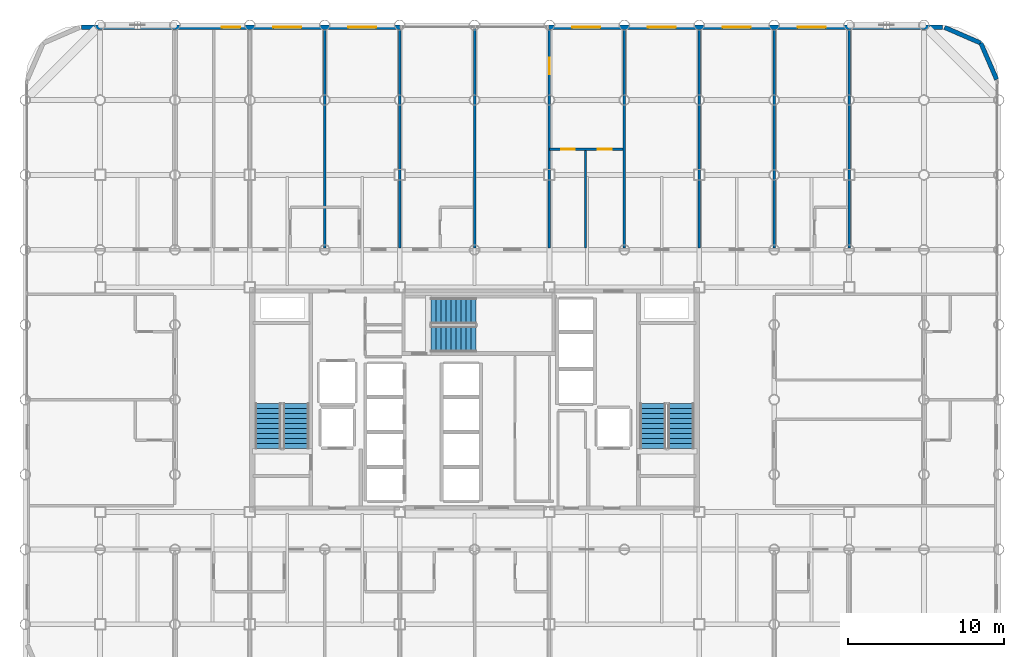
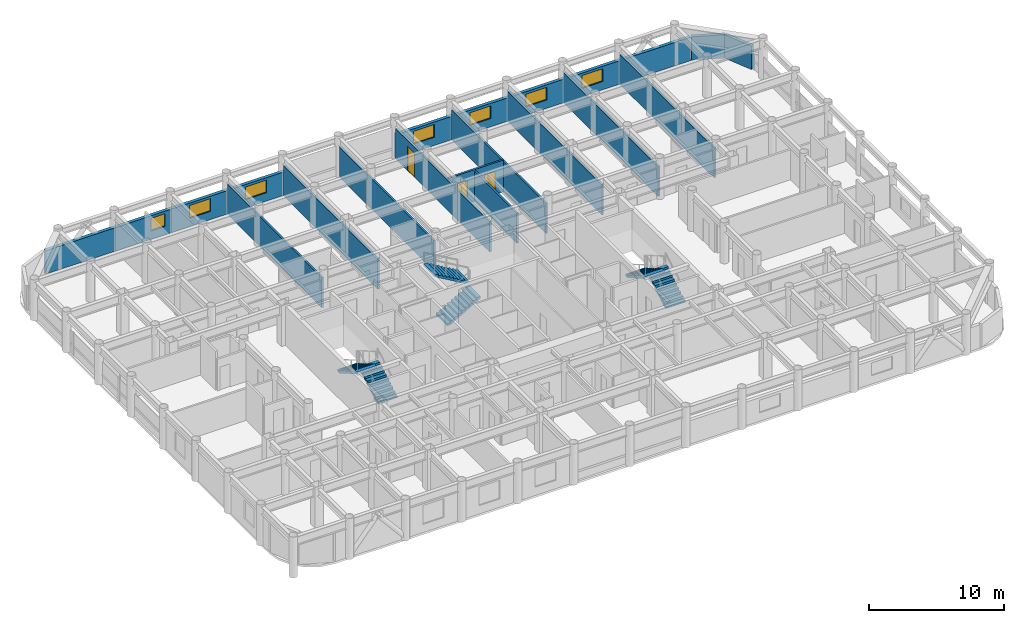
# One storey, part 21 of 22: 14 walls, 7 windows, 6 stair flights, 3 doors, 10 openings, 3 elements without a shape of their own.
"""IFC4 building model written with IfcOpenShell, lengths in metres."""

from ifc_helpers import new_model, si_unit, direction, frame, frame_2d, origin, place, context, subcontext, project, spatial, polyline, rectangle, outline, extrude, material, layer, layer_set, type_object, element, fill, aggregate, save


model = new_model("IFC4")

# Units and contexts
model_context = context("Model", 3, precision=1e-05, world=origin(), true_north=direction((0.0, 1.0)))
body_context = subcontext(model_context, "Body", "Model", "MODEL_VIEW")
ifc_project = project(units=[si_unit("LENGTHUNIT", "METRE"), si_unit("AREAUNIT", "SQUARE_METRE"), si_unit("VOLUMEUNIT", "CUBIC_METRE"), si_unit("PLANEANGLEUNIT", "RADIAN"), si_unit("MASSUNIT", "GRAM", prefix="KILO")], contexts=[model_context])

# Site, building, storey
site_placement = place(None, origin())
site = spatial("IfcSite", under=ifc_project, at=site_placement, CompositionType="ELEMENT")
building_placement = place(site_placement, origin())
building = spatial("IfcBuilding", under=site, at=building_placement, Name="Kallvorn Hotel Tower", CompositionType="ELEMENT")
storey_placement = place(building_placement, frame((0.0, 0.0, 113.699951171875)))
storey = spatial("IfcBuildingStorey", under=building, at=storey_placement, Name="L27", CompositionType="ELEMENT", Elevation=113.699951171875)

# Wall, openings, doors
ifc_material_1 = material(Name="Fire-rated double-layer acoustic gypsum drywall EI 60")
ifc_layer_1 = layer(ifc_material_1, 0.159912109375)
ifc_layer_set_1 = layer_set([ifc_layer_1], Name="WL_DEMISE_160")
wall_type_1 = type_object("IfcWallType", Name="WL_DEMISE_160", PredefinedType="PARTITIONING", material=ifc_layer_set_1)
wall_1_placement = place(storey_placement, frame((4.800048828125, 16.050048828125, 0.0), z_axis=(0.0, 0.0, 1.0), x_axis=(1.0, 0.0, 0.0)))
wall_1 = element("IfcWall", 1, at=wall_1_placement, inside=storey, type_object=wall_type_1, Name="L27 Suite 2714 Junior Bedroom Partition", PredefinedType="PARTITIONING", context=body_context, shape_type="SweptSolid", body=[
    extrude(rectangle(XDim=4.719970703125, YDim=0.159912109375, at=frame_2d((2.35986328125, 0.0))), origin(), (0.0, 0.0, 1.0), 2.8701171875),
])
opening_1_placement = place(wall_1_placement, frame((0.75, 0.0, 0.0)))
opening_1 = element("IfcOpeningElement", 2, at=opening_1_placement, cuts=wall_1, Name="Opening BD-I", PredefinedType="OPENING", context=body_context, shape_type="SweptSolid", body=[
    extrude(rectangle(XDim=0.860107421875, YDim=2.10009765625, at=frame_2d((0.43017578125, 1.050048828125))), frame((0.0, 0.094970703125, 0.0), z_axis=(0.0, -1.0, 0.0), x_axis=(1.0, 0.0, 0.0)), (0.0, 0.0, 1.0), 0.18994140625),
])
opening_2_placement = place(wall_1_placement, frame((3.090087890625, 0.0, 0.0)))
opening_2 = element("IfcOpeningElement", 3, at=opening_2_placement, cuts=wall_1, Name="Opening SVD1", PredefinedType="OPENING", context=body_context, shape_type="SweptSolid", body=[
    extrude(rectangle(XDim=0.89990234375, YDim=2.10009765625, at=frame_2d((0.449951171875, 1.050048828125))), frame((0.0, 0.094970703125, 0.0), z_axis=(0.0, -1.0, 0.0), x_axis=(1.0, 0.0, 0.0)), (0.0, 0.0, 1.0), 0.18994140625),
])
ifc_material_2 = material(Name="Solid-core walnut veneer fire-rated timber door leaf", Category="wood")
door_type_1 = type_object("IfcDoorType", Name="DR_BATH_860x2100", OperationType="NOTDEFINED", PredefinedType="DOOR", material=ifc_material_2)
door_1_placement = place(opening_1_placement, origin())
door_1 = element("IfcDoor", 4, at=door_1_placement, inside=storey, type_object=door_type_1, Name="L27 Suite 2714 En-Suite Bathroom Door", OperationType="SINGLE_SWING_LEFT", OverallHeight=2.10009765625, OverallWidth=0.860107421875, PredefinedType="DOOR", context=body_context, shape_type="SweptSolid", body=[
    extrude(rectangle(XDim=0.860107421875, YDim=2.10009765625, at=frame_2d((0.43017578125, 1.050048828125))), frame((0.0, 0.02490234375, 0.0), z_axis=(0.0, -1.0, 0.0), x_axis=(1.0, 0.0, 0.0)), (0.0, 0.0, 1.0), 0.050048828125),
])
fill(opening_1, door_1)
ifc_material_3 = material(Name="Galvanised painted steel fire-rated door assembly", Category="steel")
door_type_2 = type_object("IfcDoorType", Name="DR_SERV_900x2100", OperationType="NOTDEFINED", PredefinedType="DOOR", material=ifc_material_3)
door_2_placement = place(opening_2_placement, origin())
door_2 = element("IfcDoor", 5, at=door_2_placement, inside=storey, type_object=door_type_2, Name="L27 Suite 2714 Walk-In Dressing Closet Door", OperationType="SINGLE_SWING_LEFT", OverallHeight=2.10009765625, OverallWidth=0.89990234375, PredefinedType="DOOR", context=body_context, shape_type="SweptSolid", body=[
    extrude(rectangle(XDim=0.89990234375, YDim=2.10009765625, at=frame_2d((0.449951171875, 1.050048828125))), frame((0.0, 0.02490234375, 0.0), z_axis=(0.0, -1.0, 0.0), x_axis=(1.0, 0.0, 0.0)), (0.0, 0.0, 1.0), 0.050048828125),
])
fill(opening_2, door_2)

# Walls
for number, where, z_axis, x_axis, name in (
    (6, (-9.60009765625, 9.719970703125, 0.0), (0.0, 0.0, 1.0), (0.0, 1.0, 0.0), "L27 Suite 2711 Standard Twin Room Partition"),
    (7, (-4.800048828125, 9.719970703125, 0.0), (0.0, 0.0, 1.0), (0.0, 1.0, 0.0), "L27 Suite 2712 Standard Twin Room Partition"),
):
    element("IfcWall", number, at=place(storey_placement, frame(where, z_axis=z_axis, x_axis=x_axis)), inside=storey, type_object=wall_type_1, Name=name, PredefinedType="PARTITIONING", context=body_context, shape_type="SweptSolid", body=[
        extrude(rectangle(XDim=13.989990234375, YDim=0.159912109375, at=frame_2d((6.9951171875, 0.0))), origin(), (0.0, 0.0, 1.0), 2.719970703125),
    ])
wall_2_placement = place(storey_placement, frame((0.0, 9.719970703125, 0.0), z_axis=(0.0, 0.0, 1.0), x_axis=(0.0, 1.0, 0.0)))
element("IfcWall", 8, at=wall_2_placement, inside=storey, type_object=wall_type_1, Name="L27 Suite 2714 Junior Living Salon Partition", PredefinedType="PARTITIONING", context=body_context, shape_type="SweptSolid", body=[
    extrude(rectangle(XDim=14.074951171875, YDim=0.159912109375, at=frame_2d((7.03759765625, 0.0))), origin(), (0.0, 0.0, 1.0), 2.719970703125),
])

# Wall, opening, door
wall_3_placement = place(storey_placement, frame((4.800048828125, 9.719970703125, 0.0), z_axis=(0.0, 0.0, 1.0), x_axis=(0.0, 1.0, 0.0)))
wall_3 = element("IfcWall", 9, at=wall_3_placement, inside=storey, type_object=wall_type_1, Name="L27 Suite 2714 Junior Living Salon Partition", PredefinedType="PARTITIONING", context=body_context, shape_type="SweptSolid", body=[
    extrude(rectangle(XDim=13.989990234375, YDim=0.159912109375, at=frame_2d((6.9951171875, 0.0))), origin(), (0.0, 0.0, 1.0), 2.719970703125),
])
opening_3_placement = place(wall_3_placement, frame((11.136962890625, 0.0, 0.0)))
opening_3 = element("IfcOpeningElement", 10, at=opening_3_placement, cuts=wall_3, Name="Opening GD2", PredefinedType="OPENING", context=body_context, shape_type="SweptSolid", body=[
    extrude(rectangle(XDim=1.050048828125, YDim=2.199951171875, at=frame_2d((0.52490234375, 1.10009765625))), frame((0.0, 0.094970703125, 0.0), z_axis=(0.0, -1.0, 0.0), x_axis=(1.0, 0.0, 0.0)), (0.0, 0.0, 1.0), 0.18994140625),
])
ifc_material_4 = material(Name="Solid-core walnut veneer fire-rated timber door leaf", Category="wood")
door_type_3 = type_object("IfcDoorType", Name="DR_SUITE_1050x2200", OperationType="NOTDEFINED", PredefinedType="DOOR", material=ifc_material_4)
door_3_placement = place(opening_3_placement, origin())
door_3 = element("IfcDoor", 11, at=door_3_placement, inside=storey, type_object=door_type_3, Name="L27 Suite 2714 Junior Bedroom Door", OperationType="SINGLE_SWING_LEFT", OverallHeight=2.199951171875, OverallWidth=1.050048828125, PredefinedType="DOOR", context=body_context, shape_type="SweptSolid", body=[
    extrude(rectangle(XDim=1.050048828125, YDim=2.199951171875, at=frame_2d((0.52490234375, 1.10009765625))), frame((0.0, 0.02490234375, 0.0), z_axis=(0.0, -1.0, 0.0), x_axis=(1.0, 0.0, 0.0)), (0.0, 0.0, 1.0), 0.050048828125),
])
fill(opening_3, door_3)

# Walls
for number, where, z_axis, x_axis, name in (
    (12, (9.60009765625, 9.719970703125, 0.0), (0.0, 0.0, 1.0), (0.0, 1.0, 0.0), "L27 Suite 2714 Junior Bedroom Partition"),
    (13, (19.199951171875, 9.719970703125, 0.0), (0.0, 0.0, 1.0), (0.0, 1.0, 0.0), "L27 Suite 2715 Standard Twin Room Partition"),
    (14, (24.0, 9.719970703125, 0.0), (0.0, 0.0, 1.0), (0.0, 1.0, 0.0), "L27 Suite 2715 Standard Twin Room Partition"),
):
    element("IfcWall", number, at=place(storey_placement, frame(where, z_axis=z_axis, x_axis=x_axis)), inside=storey, type_object=wall_type_1, Name=name, PredefinedType="PARTITIONING", context=body_context, shape_type="SweptSolid", body=[
        extrude(rectangle(XDim=13.989990234375, YDim=0.159912109375, at=frame_2d((6.9951171875, 0.0))), origin(), (0.0, 0.0, 1.0), 2.719970703125),
    ])
ifc_material_5 = material(Name="Precast basalt-clad insulated concrete wall C40/50", Category="masonry")
ifc_layer_2 = layer(ifc_material_5, 0.280029296875)
ifc_layer_set_2 = layer_set([ifc_layer_2], Name="WL_EXT_LOGGIA_280")
wall_type_2 = type_object("IfcWallType", Name="WL_EXT_LOGGIA_280", PredefinedType="SOLIDWALL", material=ifc_layer_set_2)
wall_4_placement = place(storey_placement, frame((33.4580078125, 20.520751953125, 0.0), z_axis=(0.0, 0.0, 1.0), x_axis=(-0.398792985289, 0.917040977756, 0.0)))
element("IfcWall", 15, at=wall_4_placement, inside=storey, type_object=wall_type_2, Name="L27 Rounded Corner Exterior Wall NE1", PredefinedType="SOLIDWALL", context=body_context, shape_type="SweptSolid", body=[
    extrude(rectangle(XDim=2.536376953125, YDim=0.280029296875, at=frame_2d((1.26806640625, 0.0))), origin(), (0.0, 0.0, 1.0), 2.1201171875),
])
wall_5_placement = place(storey_placement, frame((32.446533203125, 22.8466796875, 0.0), z_axis=(0.0, 0.0, 1.0), x_axis=(-0.917060872934, 0.398747232384, 0.0)))
element("IfcWall", 16, at=wall_5_placement, inside=storey, type_object=wall_type_2, Name="L27 Rounded Corner Exterior Wall NE2", PredefinedType="SOLIDWALL", context=body_context, shape_type="SweptSolid", body=[
    extrude(rectangle(XDim=2.5361328125, YDim=0.280029296875, at=frame_2d((1.26806640625, 0.0))), origin(), (0.0, 0.0, 1.0), 2.1201171875),
])

# Wall, openings, windows
wall_6_placement = place(storey_placement, frame((-25.199951171875, 23.860107421875, 0.0), z_axis=(0.0, 0.0, 1.0), x_axis=(1.0, 0.0, 0.0)))
wall_6 = element("IfcWall", 17, at=wall_6_placement, inside=storey, type_object=wall_type_2, Name="L27 Exterior Envelope Wall EW-L27-NW", PredefinedType="SOLIDWALL", context=body_context, shape_type="SweptSolid", body=[
    extrude(rectangle(XDim=20.449951171875, YDim=0.280029296875, at=frame_2d((10.22509765625, 0.0))), origin(), (0.0, 0.0, 1.0), 2.1201171875),
])
opening_4_placement = place(wall_6_placement, frame((9.0, 0.0, 0.75)))
opening_4 = element("IfcOpeningElement", 18, at=opening_4_placement, cuts=wall_6, Name="Opening W06A", PredefinedType="OPENING", context=body_context, shape_type="SweptSolid", body=[
    extrude(rectangle(XDim=1.199951171875, YDim=1.14990234375, at=frame_2d((0.60009765625, 0.574951171875))), frame((0.0, 0.155029296875, 0.0), z_axis=(0.0, -1.0, 0.0), x_axis=(1.0, 0.0, 0.0)), (0.0, 0.0, 1.0), 0.31005859375),
])
opening_5_placement = place(wall_6_placement, frame((12.300048828125, 0.0, 0.75)))
opening_5 = element("IfcOpeningElement", 19, at=opening_5_placement, cuts=wall_6, Name="Opening W04A", PredefinedType="OPENING", context=body_context, shape_type="SweptSolid", body=[
    extrude(rectangle(XDim=1.800048828125, YDim=1.14990234375, at=frame_2d((0.89990234375, 0.574951171875))), frame((0.0, 0.155029296875, 0.0), z_axis=(0.0, -1.0, 0.0), x_axis=(1.0, 0.0, 0.0)), (0.0, 0.0, 1.0), 0.31005859375),
])
opening_6_placement = place(wall_6_placement, frame((17.10009765625, 0.0, 0.75)))
opening_6 = element("IfcOpeningElement", 20, at=opening_6_placement, cuts=wall_6, Name="Opening W04A", PredefinedType="OPENING", context=body_context, shape_type="SweptSolid", body=[
    extrude(rectangle(XDim=1.800048828125, YDim=1.14990234375, at=frame_2d((0.89990234375, 0.574951171875))), frame((0.0, 0.155029296875, 0.0), z_axis=(0.0, -1.0, 0.0), x_axis=(1.0, 0.0, 0.0)), (0.0, 0.0, 1.0), 0.31005859375),
])
ifc_material_6 = material(Name="Triple-glazed low-e acoustic solar-control dark glass", Category="glass")
window_type_1 = type_object("IfcWindowType", Name="WN_HTL_1200x1150", PartitioningType="SINGLE_PANEL", PredefinedType="WINDOW", material=ifc_material_6)
window_1_placement = place(opening_4_placement, origin())
window_1 = element("IfcWindow", 21, at=window_1_placement, inside=storey, type_object=window_type_1, Name="L27 Guestroom Exterior Window 10", OverallHeight=1.14990234375, OverallWidth=1.199951171875, PartitioningType="SINGLE_PANEL", PredefinedType="WINDOW", context=body_context, shape_type="SweptSolid", body=[
    extrude(rectangle(XDim=1.199951171875, YDim=1.14990234375, at=frame_2d((0.60009765625, 0.574951171875))), frame((0.0, 0.030029296875, 0.0), z_axis=(0.0, -1.0, 0.0), x_axis=(1.0, 0.0, 0.0)), (0.0, 0.0, 1.0), 0.06005859375),
])
fill(opening_4, window_1)
ifc_material_7 = material(Name="Double-glazed low-e solar-control dark glass", Category="glass")
window_type_2 = type_object("IfcWindowType", Name="WN_HTL_1800x1150", PartitioningType="SINGLE_PANEL", PredefinedType="WINDOW", material=ifc_material_7)
window_2_placement = place(opening_5_placement, origin())
window_2 = element("IfcWindow", 22, at=window_2_placement, inside=storey, type_object=window_type_2, Name="L27 Guestroom Exterior Window 11", OverallHeight=1.14990234375, OverallWidth=1.800048828125, PartitioningType="SINGLE_PANEL", PredefinedType="WINDOW", context=body_context, shape_type="SweptSolid", body=[
    extrude(rectangle(XDim=1.800048828125, YDim=1.14990234375, at=frame_2d((0.89990234375, 0.574951171875))), frame((0.0, 0.030029296875, 0.0), z_axis=(0.0, -1.0, 0.0), x_axis=(1.0, 0.0, 0.0)), (0.0, 0.0, 1.0), 0.06005859375),
])
fill(opening_5, window_2)
window_3_placement = place(opening_6_placement, origin())
window_3 = element("IfcWindow", 23, at=window_3_placement, inside=storey, type_object=window_type_2, Name="L27 Guestroom Exterior Window 12", OverallHeight=1.14990234375, OverallWidth=1.800048828125, PartitioningType="SINGLE_PANEL", PredefinedType="WINDOW", context=body_context, shape_type="SweptSolid", body=[
    extrude(rectangle(XDim=1.800048828125, YDim=1.14990234375, at=frame_2d((0.89990234375, 0.574951171875))), frame((0.0, 0.030029296875, 0.0), z_axis=(0.0, -1.0, 0.0), x_axis=(1.0, 0.0, 0.0)), (0.0, 0.0, 1.0), 0.06005859375),
])
fill(opening_6, window_3)

wall_7_placement = place(storey_placement, frame((4.75, 23.860107421875, 0.0), z_axis=(0.0, 0.0, 1.0), x_axis=(1.0, 0.0, 0.0)))
wall_7 = element("IfcWall", 24, at=wall_7_placement, inside=storey, type_object=wall_type_2, Name="L27 Exterior Envelope Wall EW-L27-NE", PredefinedType="SOLIDWALL", context=body_context, shape_type="SweptSolid", body=[
    extrude(rectangle(XDim=25.25, YDim=0.280029296875, at=frame_2d((12.625, 0.0))), origin(), (0.0, 0.0, 1.0), 2.1201171875),
])
opening_7_placement = place(wall_7_placement, frame((1.510009765625, 0.0, 0.75)))
opening_7 = element("IfcOpeningElement", 25, at=opening_7_placement, cuts=wall_7, Name="Opening W04A", PredefinedType="OPENING", context=body_context, shape_type="SweptSolid", body=[
    extrude(rectangle(XDim=1.800048828125, YDim=1.14990234375, at=frame_2d((0.89990234375, 0.574951171875))), frame((0.0, 0.155029296875, 0.0), z_axis=(0.0, -1.0, 0.0), x_axis=(1.0, 0.0, 0.0)), (0.0, 0.0, 1.0), 0.31005859375),
])
opening_8_placement = place(wall_7_placement, frame((6.35009765625, 0.0, 0.75)))
opening_8 = element("IfcOpeningElement", 26, at=opening_8_placement, cuts=wall_7, Name="Opening W04A", PredefinedType="OPENING", context=body_context, shape_type="SweptSolid", body=[
    extrude(rectangle(XDim=1.800048828125, YDim=1.14990234375, at=frame_2d((0.89990234375, 0.574951171875))), frame((0.0, 0.155029296875, 0.0), z_axis=(0.0, -1.0, 0.0), x_axis=(1.0, 0.0, 0.0)), (0.0, 0.0, 1.0), 0.31005859375),
])
opening_9_placement = place(wall_7_placement, frame((11.14990234375, 0.0, 0.75)))
opening_9 = element("IfcOpeningElement", 27, at=opening_9_placement, cuts=wall_7, Name="Opening W04A", PredefinedType="OPENING", context=body_context, shape_type="SweptSolid", body=[
    extrude(rectangle(XDim=1.800048828125, YDim=1.14990234375, at=frame_2d((0.89990234375, 0.574951171875))), frame((0.0, 0.155029296875, 0.0), z_axis=(0.0, -1.0, 0.0), x_axis=(1.0, 0.0, 0.0)), (0.0, 0.0, 1.0), 0.31005859375),
])
opening_10_placement = place(wall_7_placement, frame((15.949951171875, 0.0, 0.75)))
opening_10 = element("IfcOpeningElement", 28, at=opening_10_placement, cuts=wall_7, Name="Opening W04A", PredefinedType="OPENING", context=body_context, shape_type="SweptSolid", body=[
    extrude(rectangle(XDim=1.800048828125, YDim=1.14990234375, at=frame_2d((0.89990234375, 0.574951171875))), frame((0.0, 0.155029296875, 0.0), z_axis=(0.0, -1.0, 0.0), x_axis=(1.0, 0.0, 0.0)), (0.0, 0.0, 1.0), 0.31005859375),
])
window_4_placement = place(opening_7_placement, origin())
window_4 = element("IfcWindow", 29, at=window_4_placement, inside=storey, type_object=window_type_2, Name="L27 Guestroom Exterior Window 13", OverallHeight=1.14990234375, OverallWidth=1.800048828125, PartitioningType="SINGLE_PANEL", PredefinedType="WINDOW", context=body_context, shape_type="SweptSolid", body=[
    extrude(rectangle(XDim=1.800048828125, YDim=1.14990234375, at=frame_2d((0.89990234375, 0.574951171875))), frame((0.0, 0.030029296875, 0.0), z_axis=(0.0, -1.0, 0.0), x_axis=(1.0, 0.0, 0.0)), (0.0, 0.0, 1.0), 0.06005859375),
])
fill(opening_7, window_4)
window_5_placement = place(opening_8_placement, origin())
window_5 = element("IfcWindow", 30, at=window_5_placement, inside=storey, type_object=window_type_2, Name="L27 Guestroom Exterior Window 14", OverallHeight=1.14990234375, OverallWidth=1.800048828125, PartitioningType="SINGLE_PANEL", PredefinedType="WINDOW", context=body_context, shape_type="SweptSolid", body=[
    extrude(rectangle(XDim=1.800048828125, YDim=1.14990234375, at=frame_2d((0.89990234375, 0.574951171875))), frame((0.0, 0.030029296875, 0.0), z_axis=(0.0, -1.0, 0.0), x_axis=(1.0, 0.0, 0.0)), (0.0, 0.0, 1.0), 0.06005859375),
])
fill(opening_8, window_5)
window_6_placement = place(opening_9_placement, origin())
window_6 = element("IfcWindow", 31, at=window_6_placement, inside=storey, type_object=window_type_2, Name="L27 Guestroom Exterior Window 15", OverallHeight=1.14990234375, OverallWidth=1.800048828125, PartitioningType="SINGLE_PANEL", PredefinedType="WINDOW", context=body_context, shape_type="SweptSolid", body=[
    extrude(rectangle(XDim=1.800048828125, YDim=1.14990234375, at=frame_2d((0.89990234375, 0.574951171875))), frame((0.0, 0.030029296875, 0.0), z_axis=(0.0, -1.0, 0.0), x_axis=(1.0, 0.0, 0.0)), (0.0, 0.0, 1.0), 0.06005859375),
])
fill(opening_9, window_6)
window_7_placement = place(opening_10_placement, origin())
window_7 = element("IfcWindow", 32, at=window_7_placement, inside=storey, type_object=window_type_2, Name="L27 Guestroom Exterior Window 16", OverallHeight=1.14990234375, OverallWidth=1.800048828125, PartitioningType="SINGLE_PANEL", PredefinedType="WINDOW", context=body_context, shape_type="SweptSolid", body=[
    extrude(rectangle(XDim=1.800048828125, YDim=1.14990234375, at=frame_2d((0.89990234375, 0.574951171875))), frame((0.0, 0.030029296875, 0.0), z_axis=(0.0, -1.0, 0.0), x_axis=(1.0, 0.0, 0.0)), (0.0, 0.0, 1.0), 0.06005859375),
])
fill(opening_10, window_7)

# Walls
ifc_material_8 = material(Name="Fire-rated double-layer acoustic gypsum drywall EI 60")
ifc_layer_3 = layer(ifc_material_8, 0.14990234375)
ifc_layer_set_3 = layer_set([ifc_layer_3], Name="WL_PART_150")
wall_type_3 = type_object("IfcWallType", Name="WL_PART_150", PredefinedType="PARTITIONING", material=ifc_layer_set_3)
wall_8_placement = place(storey_placement, frame((7.106689453125, 9.719970703125, 0.0), z_axis=(0.0, 0.0, 1.0), x_axis=(0.0, 1.0, 0.0)))
element("IfcWall", 33, at=wall_8_placement, inside=storey, type_object=wall_type_3, Name="L27 Suite 2714 Walk-In Dressing Closet Partition", PredefinedType="PARTITIONING", context=body_context, shape_type="SweptSolid", body=[
    extrude(rectangle(XDim=6.2451171875, YDim=0.14990234375, at=frame_2d((3.12255859375, 0.0))), origin(), (0.0, 0.0, 1.0), 2.719970703125),
])
wall_9_placement = place(storey_placement, frame((14.39990234375, 9.719970703125, 0.0), z_axis=(0.0, 0.0, 1.0), x_axis=(0.0, 1.0, 0.0)))
element("IfcWall", 34, at=wall_9_placement, inside=storey, type_object=wall_type_3, Name="L27 L27 Diplomatic Summit Conference Boardroom 6-1 Partition", PredefinedType="PARTITIONING", context=body_context, shape_type="SweptSolid", body=[
    extrude(rectangle(XDim=13.989990234375, YDim=0.14990234375, at=frame_2d((6.9951171875, 0.0))), origin(), (0.0, 0.0, 1.0), 2.719970703125),
])

# Stair, stair flights
ifc_material_9 = material(Name="Precast concrete C40/50", Category="concrete")
stair_type = type_object("IfcStairType", Name="STR_CORE_DOGLEG", PredefinedType="HALF_TURN_STAIR", material=ifc_material_9)
stair_1_placement = place(storey_placement, origin())
stair_1 = element("IfcStair", 35, at=stair_1_placement, inside=storey, type_object=stair_type, Name="L27 Exit stair ST1", PredefinedType="HALF_TURN_STAIR")
ifc_material_10 = material(Name="Precast concrete C40/50", Category="concrete")
stair_flight_type = type_object("IfcStairFlightType", Name="FLT_CORE_1660", PredefinedType="STRAIGHT", material=ifc_material_10)
stair_flight_1_placement = place(storey_placement, frame((-11.429931640625, -3.139892578125, 0.0), z_axis=(0.0, 0.0, 1.0), x_axis=(0.0, 1.0, 0.0)))
stair_flight_1 = element("IfcStairFlight", 36, at=stair_flight_1_placement, type_object=stair_flight_type, Name="ST1 flight 1", NumberOfRisers=10, NumberOfTreads=9, PredefinedType="STRAIGHT", RiserHeight=0.185, TreadLength=0.32, context=body_context, shape_type="SweptSolid", body=[
    extrude(outline(polyline([(0.0, 0.0), (0.0, 0.18505859375), (0.320068359375, 0.18505859375), (0.320068359375, 0.3701171875), (0.639892578125, 0.3701171875), (0.639892578125, 0.554931640625), (0.9599609375, 0.554931640625), (0.9599609375, 0.739990234375), (1.280029296875, 0.739990234375), (1.280029296875, 0.925048828125), (1.60009765625, 0.925048828125), (1.60009765625, 1.110107421875), (1.919921875, 1.110107421875), (1.919921875, 1.294921875), (2.239990234375, 1.294921875), (2.239990234375, 1.47998046875), (2.56005859375, 1.47998046875), (2.56005859375, 1.6650390625), (2.8798828125, 1.6650390625), (2.8798828125, 1.85009765625), (2.8798828125, 1.491943359375), (0.299560546875, 0.0), (0.0, 0.0)])), frame((0.0, 0.830078125, 0.0), z_axis=(0.0, -1.0, 0.0), x_axis=(1.0, 0.0, 0.0)), (0.0, 0.0, 1.0), 1.659912109375),
])
stair_flight_2_placement = place(storey_placement, frame((-13.22998046875, -0.260009765625, 1.85009765625), z_axis=(0.0, 0.0, 1.0), x_axis=(0.0, -1.0, 0.0)))
stair_flight_2 = element("IfcStairFlight", 37, at=stair_flight_2_placement, type_object=stair_flight_type, Name="ST1 flight 2", NumberOfRisers=10, NumberOfTreads=9, PredefinedType="STRAIGHT", RiserHeight=0.185, TreadLength=0.32, context=body_context, shape_type="SweptSolid", body=[
    extrude(outline(polyline([(0.0, 0.0), (0.0, 0.18505859375), (0.320068359375, 0.18505859375), (0.320068359375, 0.3701171875), (0.639892578125, 0.3701171875), (0.639892578125, 0.554931640625), (0.9599609375, 0.554931640625), (0.9599609375, 0.739990234375), (1.280029296875, 0.739990234375), (1.280029296875, 0.925048828125), (1.60009765625, 0.925048828125), (1.60009765625, 1.110107421875), (1.919921875, 1.110107421875), (1.919921875, 1.294921875), (2.239990234375, 1.294921875), (2.239990234375, 1.47998046875), (2.56005859375, 1.47998046875), (2.56005859375, 1.6650390625), (2.8798828125, 1.6650390625), (2.8798828125, 1.85009765625), (2.8798828125, 1.491943359375), (0.299560546875, 0.0), (0.0, 0.0)])), frame((0.0, 0.830078125, 0.0), z_axis=(0.0, -1.0, 0.0), x_axis=(1.0, 0.0, 0.0)), (0.0, 0.0, 1.0), 1.659912109375),
])
aggregate(stair_1, [stair_flight_1, stair_flight_2])

stair_2_placement = place(storey_placement, origin())
stair_2 = element("IfcStair", 38, at=stair_2_placement, inside=storey, type_object=stair_type, Name="L27 Exit stair ST2", PredefinedType="HALF_TURN_STAIR")
stair_flight_3_placement = place(storey_placement, frame((13.22998046875, -3.139892578125, 0.0), z_axis=(0.0, 0.0, 1.0), x_axis=(0.0, 1.0, 0.0)))
stair_flight_3 = element("IfcStairFlight", 39, at=stair_flight_3_placement, type_object=stair_flight_type, Name="ST2 flight 1", NumberOfRisers=10, NumberOfTreads=9, PredefinedType="STRAIGHT", RiserHeight=0.185, TreadLength=0.32, context=body_context, shape_type="SweptSolid", body=[
    extrude(outline(polyline([(0.0, 0.0), (0.0, 0.18505859375), (0.320068359375, 0.18505859375), (0.320068359375, 0.3701171875), (0.639892578125, 0.3701171875), (0.639892578125, 0.554931640625), (0.9599609375, 0.554931640625), (0.9599609375, 0.739990234375), (1.280029296875, 0.739990234375), (1.280029296875, 0.925048828125), (1.60009765625, 0.925048828125), (1.60009765625, 1.110107421875), (1.919921875, 1.110107421875), (1.919921875, 1.294921875), (2.239990234375, 1.294921875), (2.239990234375, 1.47998046875), (2.56005859375, 1.47998046875), (2.56005859375, 1.6650390625), (2.8798828125, 1.6650390625), (2.8798828125, 1.85009765625), (2.8798828125, 1.491943359375), (0.299560546875, 0.0), (0.0, 0.0)])), frame((0.0, 0.830078125, 0.0), z_axis=(0.0, -1.0, 0.0), x_axis=(1.0, 0.0, 0.0)), (0.0, 0.0, 1.0), 1.659912109375),
])
stair_flight_4_placement = place(storey_placement, frame((11.429931640625, -0.260009765625, 1.85009765625), z_axis=(0.0, 0.0, 1.0), x_axis=(0.0, -1.0, 0.0)))
stair_flight_4 = element("IfcStairFlight", 40, at=stair_flight_4_placement, type_object=stair_flight_type, Name="ST2 flight 2", NumberOfRisers=10, NumberOfTreads=9, PredefinedType="STRAIGHT", RiserHeight=0.185, TreadLength=0.32, context=body_context, shape_type="SweptSolid", body=[
    extrude(outline(polyline([(0.0, 0.0), (0.0, 0.18505859375), (0.320068359375, 0.18505859375), (0.320068359375, 0.3701171875), (0.639892578125, 0.3701171875), (0.639892578125, 0.554931640625), (0.9599609375, 0.554931640625), (0.9599609375, 0.739990234375), (1.280029296875, 0.739990234375), (1.280029296875, 0.925048828125), (1.60009765625, 0.925048828125), (1.60009765625, 1.110107421875), (1.919921875, 1.110107421875), (1.919921875, 1.294921875), (2.239990234375, 1.294921875), (2.239990234375, 1.47998046875), (2.56005859375, 1.47998046875), (2.56005859375, 1.6650390625), (2.8798828125, 1.6650390625), (2.8798828125, 1.85009765625), (2.8798828125, 1.491943359375), (0.299560546875, 0.0), (0.0, 0.0)])), frame((0.0, 0.830078125, 0.0), z_axis=(0.0, -1.0, 0.0), x_axis=(1.0, 0.0, 0.0)), (0.0, 0.0, 1.0), 1.659912109375),
])
aggregate(stair_2, [stair_flight_3, stair_flight_4])

stair_3_placement = place(storey_placement, origin())
stair_3 = element("IfcStair", 41, at=stair_3_placement, inside=storey, type_object=stair_type, Name="L27 Exit stair ST3", PredefinedType="HALF_TURN_STAIR")
stair_flight_5_placement = place(storey_placement, frame((-2.7900390625, 3.8798828125, 0.0), z_axis=(0.0, 0.0, 1.0), x_axis=(1.0, 0.0, 0.0)))
stair_flight_5 = element("IfcStairFlight", 42, at=stair_flight_5_placement, type_object=stair_flight_type, Name="ST3 flight 1", NumberOfRisers=10, NumberOfTreads=9, PredefinedType="STRAIGHT", RiserHeight=0.185, TreadLength=0.32, context=body_context, shape_type="SweptSolid", body=[
    extrude(outline(polyline([(0.0, 0.0), (0.0, 0.18505859375), (0.320068359375, 0.18505859375), (0.320068359375, 0.3701171875), (0.639892578125, 0.3701171875), (0.639892578125, 0.554931640625), (0.9599609375, 0.554931640625), (0.9599609375, 0.739990234375), (1.280029296875, 0.739990234375), (1.280029296875, 0.925048828125), (1.60009765625, 0.925048828125), (1.60009765625, 1.110107421875), (1.919921875, 1.110107421875), (1.919921875, 1.294921875), (2.239990234375, 1.294921875), (2.239990234375, 1.47998046875), (2.56005859375, 1.47998046875), (2.56005859375, 1.6650390625), (2.8798828125, 1.6650390625), (2.8798828125, 1.85009765625), (2.8798828125, 1.491943359375), (0.299560546875, 0.0), (0.0, 0.0)])), frame((0.0, 0.830078125, 0.0), z_axis=(0.0, -1.0, 0.0), x_axis=(1.0, 0.0, 0.0)), (0.0, 0.0, 1.0), 1.659912109375),
])
stair_flight_6_placement = place(storey_placement, frame((0.090087890625, 5.679931640625, 1.85009765625), z_axis=(0.0, 0.0, 1.0), x_axis=(-1.0, 0.0, 0.0)))
stair_flight_6 = element("IfcStairFlight", 43, at=stair_flight_6_placement, type_object=stair_flight_type, Name="ST3 flight 2", NumberOfRisers=10, NumberOfTreads=9, PredefinedType="STRAIGHT", RiserHeight=0.185, TreadLength=0.32, context=body_context, shape_type="SweptSolid", body=[
    extrude(outline(polyline([(0.0, 0.0), (0.0, 0.18505859375), (0.320068359375, 0.18505859375), (0.320068359375, 0.3701171875), (0.639892578125, 0.3701171875), (0.639892578125, 0.554931640625), (0.9599609375, 0.554931640625), (0.9599609375, 0.739990234375), (1.280029296875, 0.739990234375), (1.280029296875, 0.925048828125), (1.60009765625, 0.925048828125), (1.60009765625, 1.110107421875), (1.919921875, 1.110107421875), (1.919921875, 1.294921875), (2.239990234375, 1.294921875), (2.239990234375, 1.47998046875), (2.56005859375, 1.47998046875), (2.56005859375, 1.6650390625), (2.8798828125, 1.6650390625), (2.8798828125, 1.85009765625), (2.8798828125, 1.491943359375), (0.299560546875, 0.0), (0.0, 0.0)])), frame((0.0, 0.830078125, 0.0), z_axis=(0.0, -1.0, 0.0), x_axis=(1.0, 0.0, 0.0)), (0.0, 0.0, 1.0), 1.659912109375),
])
aggregate(stair_3, [stair_flight_5, stair_flight_6])

save(model, "model.ifc")
